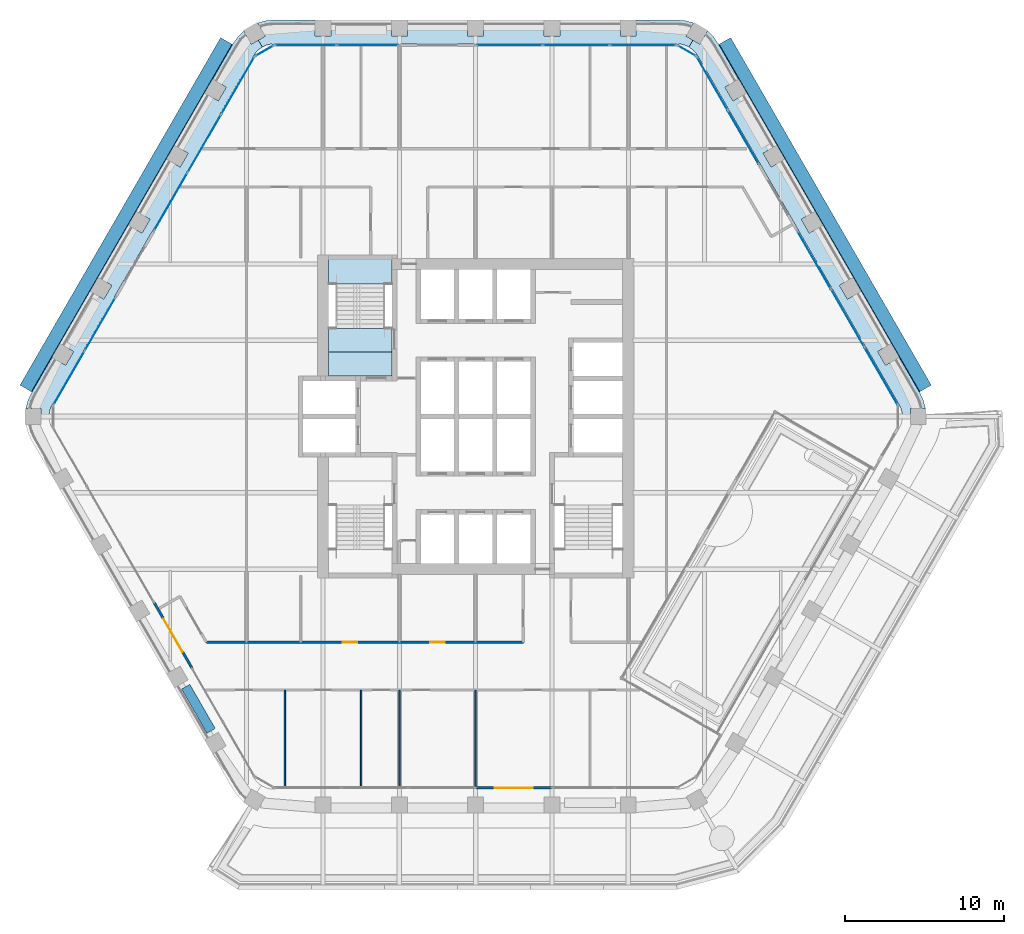
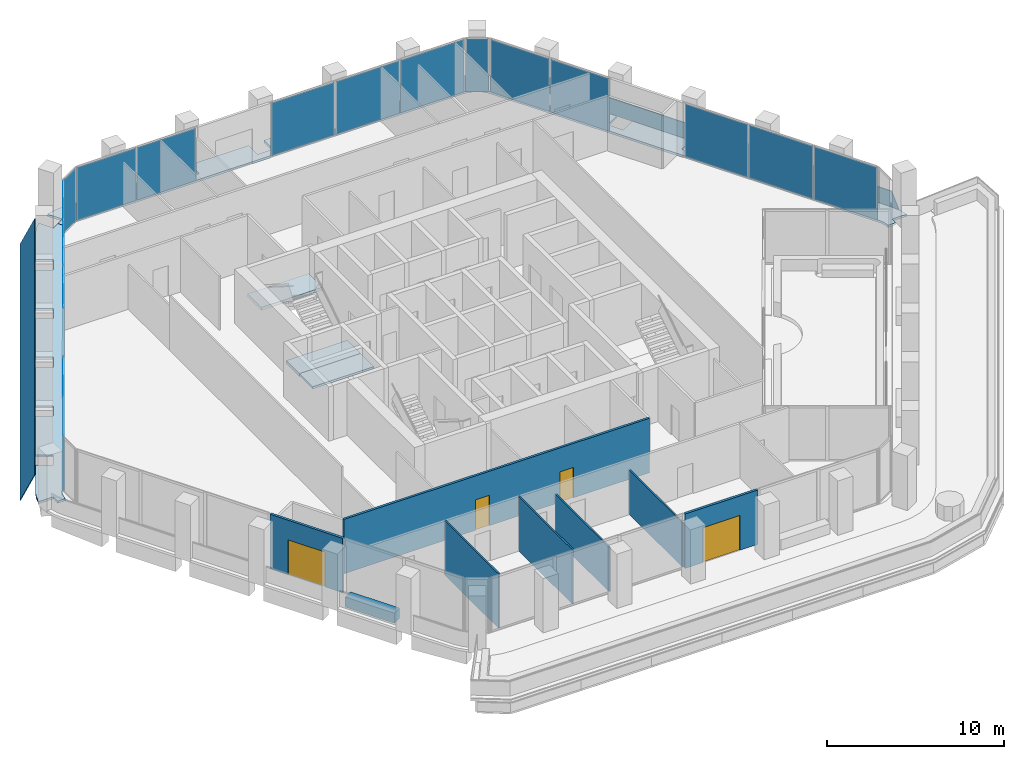
# One storey, part 10 of 17: 19 plates, 8 walls, 6 slabs, 4 doors, 4 openings, 9 elements without a shape of their own.
"""IFC4 building model written with IfcOpenShell, lengths in metres."""

from ifc_helpers import new_model, si_unit, direction, frame, frame_2d, origin, origin_2d, place, context, subcontext, project, spatial, polyline, rectangle, outline, extrude, material, layer, layer_set, type_object, element, fill, aggregate, save


model = new_model("IFC4")

# Units and contexts
model_context = context("Model", 3, precision=1e-05, world=origin(), true_north=direction((0.0, 1.0)))
body_context = subcontext(model_context, "Body", "Model", "MODEL_VIEW")
ifc_project = project(units=[si_unit("LENGTHUNIT", "METRE"), si_unit("AREAUNIT", "SQUARE_METRE"), si_unit("VOLUMEUNIT", "CUBIC_METRE"), si_unit("PLANEANGLEUNIT", "RADIAN"), si_unit("MASSUNIT", "GRAM", prefix="KILO")], contexts=[model_context])

# Site, building, storey
site_placement = place(None, origin())
site = spatial("IfcSite", under=ifc_project, at=site_placement, CompositionType="ELEMENT")
building_placement = place(site_placement, origin())
building = spatial("IfcBuilding", under=site, at=building_placement, Name="Kolab Exchange Tower", CompositionType="ELEMENT")
storey_placement = place(building_placement, frame((0.0, 0.0, 197.300048828125)))
storey = spatial("IfcBuildingStorey", under=building, at=storey_placement, Name="L42", CompositionType="ELEMENT", Elevation=197.300048828125)

# Slabs
ifc_material_1 = material(Name="Concrete C35/45", Category="concrete")
ifc_layer_1 = layer(ifc_material_1, 0.14990234375)
ifc_layer_set_1 = layer_set([ifc_layer_1], Name="Concrete C35/45")
slab_type_1 = type_object("IfcSlabType", Name="FLOOR SLAB 150", PredefinedType="FLOOR", material=ifc_layer_set_1)
slab_1_placement = place(storey_placement, frame((0.0, 0.0, -0.150146484375)))
element("IfcSlab", 1, at=slab_1_placement, inside=storey, type_object=slab_type_1, Name="slab/L42/floor/4", PredefinedType="FLOOR", context=body_context, shape_type="SweptSolid", body=[
    extrude(outline(polyline([(-9.25, 2.550048828125), (-7.550048828125, 2.550048828125), (-7.25, 2.550048828125), (-5.25, 2.550048828125), (-5.25, 4.050048828125), (-9.25, 4.050048828125), (-9.25, 2.550048828125)])), origin(), (0.0, 0.0, 1.0), 0.150146484375),
])
ifc_layer_2 = layer(ifc_material_1, 0.14990234375)
ifc_layer_set_2 = layer_set([ifc_layer_2], Name="Concrete C35/45")
slab_type_2 = type_object("IfcSlabType", Name="LOGGIA SLAB 150", PredefinedType="FLOOR", material=ifc_layer_set_2)
slab_2_placement = place(storey_placement, frame((0.0, 0.0, -0.150146484375)))
element("IfcSlab", 2, at=slab_2_placement, inside=storey, type_object=slab_type_2, Name="slab/L42/loggia/0-0", PredefinedType="FLOOR", context=body_context, shape_type="SweptSolid", body=[
    extrude(outline(polyline([(13.180908203125, 23.35107421875), (13.41796875, 23.240478515625), (13.66796875, 23.673583984375), (13.23486328125, 23.923583984375), (13.713134765625, 24.751708984375), (13.694091796875, 24.760498046875), (13.18896484375, 24.89599609375), (12.66796875, 24.941650390625), (10.10009765625, 24.941650390625), (10.10009765625, 23.941650390625), (9.10009765625, 23.941650390625), (9.10009765625, 24.941650390625), (5.300048828125, 24.941650390625), (5.300048828125, 23.941650390625), (4.300048828125, 23.941650390625), (4.300048828125, 24.941650390625), (0.5, 24.941650390625), (0.5, 23.941650390625), (-0.5, 23.941650390625), (-0.5, 24.941650390625), (-4.300048828125, 24.941650390625), (-4.300048828125, 23.941650390625), (-5.300048828125, 23.941650390625), (-5.300048828125, 24.941650390625), (-9.10009765625, 24.941650390625), (-9.10009765625, 23.941650390625), (-10.10009765625, 23.941650390625), (-10.10009765625, 24.941650390625), (-12.66796875, 24.941650390625), (-13.18896484375, 24.89599609375), (-13.694091796875, 24.760498046875), (-13.713134765625, 24.751708984375), (-13.23486328125, 23.923583984375), (-13.66796875, 23.673583984375), (-13.41796875, 23.240478515625), (-13.180908203125, 23.35107421875), (-12.928466796875, 23.418701171875), (-12.66796875, 23.441650390625), (12.66796875, 23.441650390625), (12.928466796875, 23.418701171875), (13.180908203125, 23.35107421875)])), origin(), (0.0, 0.0, 1.0), 0.150146484375),
])
slab_3_placement = place(storey_placement, frame((0.0, 0.0, -0.150146484375)))
element("IfcSlab", 3, at=slab_3_placement, inside=storey, type_object=slab_type_2, Name="slab/L42/loggia/1-0", PredefinedType="FLOOR", context=body_context, shape_type="SweptSolid", body=[
    extrude(outline(polyline([(26.81298828125, 0.260498046875), (26.829345703125, 0.07568359375), (27.3359375, 0.10107421875), (27.3359375, 0.5), (28.292236328125, 0.5), (28.290283203125, 0.52099609375), (28.155029296875, 1.026123046875), (27.93408203125, 1.5), (26.64990234375, 3.723876953125), (25.783935546875, 3.223876953125), (25.283935546875, 4.08984375), (26.14990234375, 4.58984375), (24.25, 7.880859375), (23.384033203125, 7.380859375), (22.884033203125, 8.246826171875), (23.75, 8.746826171875), (21.85009765625, 12.037841796875), (20.98388671875, 11.537841796875), (20.48388671875, 12.40380859375), (21.35009765625, 12.90380859375), (19.449951171875, 16.194580078125), (18.583984375, 15.694580078125), (18.083984375, 16.560791015625), (18.949951171875, 17.060791015625), (17.050048828125, 20.3515625), (16.18408203125, 19.8515625), (15.68408203125, 20.717529296875), (16.550048828125, 21.217529296875), (15.26611328125, 23.441650390625), (14.966064453125, 23.869873046875), (14.59619140625, 24.23974609375), (14.5791015625, 24.251708984375), (14.10107421875, 23.423583984375), (13.66796875, 23.673583984375), (13.41796875, 23.240478515625), (13.632080078125, 23.090576171875), (13.81689453125, 22.90576171875), (13.967041015625, 22.691650390625), (26.635009765625, 0.75), (26.745361328125, 0.512939453125), (26.81298828125, 0.260498046875)])), origin(), (0.0, 0.0, 1.0), 0.150146484375),
])
slab_4_placement = place(storey_placement, frame((0.0, 0.0, -0.150146484375)))
element("IfcSlab", 4, at=slab_4_placement, inside=storey, type_object=slab_type_2, Name="slab/L42/loggia/5-0", PredefinedType="FLOOR", context=body_context, shape_type="SweptSolid", body=[
    extrude(outline(polyline([(-13.632080078125, 23.090576171875), (-13.41796875, 23.240478515625), (-13.66796875, 23.673583984375), (-14.10107421875, 23.423583984375), (-14.5791015625, 24.251708984375), (-14.59619140625, 24.23974609375), (-14.966064453125, 23.869873046875), (-15.26611328125, 23.441650390625), (-16.550048828125, 21.217529296875), (-15.68408203125, 20.717529296875), (-16.18408203125, 19.8515625), (-17.050048828125, 20.3515625), (-18.949951171875, 17.060791015625), (-18.083984375, 16.560791015625), (-18.583984375, 15.694580078125), (-19.449951171875, 16.194580078125), (-21.35009765625, 12.90380859375), (-20.48388671875, 12.40380859375), (-20.98388671875, 11.537841796875), (-21.85009765625, 12.037841796875), (-23.75, 8.746826171875), (-22.884033203125, 8.246826171875), (-23.384033203125, 7.380859375), (-24.25, 7.880859375), (-26.14990234375, 4.58984375), (-25.283935546875, 4.08984375), (-25.783935546875, 3.223876953125), (-26.64990234375, 3.723876953125), (-27.93408203125, 1.5), (-28.155029296875, 1.026123046875), (-28.290283203125, 0.52099609375), (-28.292236328125, 0.5), (-27.3359375, 0.5), (-27.3359375, 0.0), (-26.8359375, 0.0), (-26.81298828125, 0.260498046875), (-26.745361328125, 0.512939453125), (-26.635009765625, 0.75), (-13.967041015625, 22.691650390625), (-13.81689453125, 22.90576171875), (-13.632080078125, 23.090576171875)])), origin(), (0.0, 0.0, 1.0), 0.150146484375),
])

# Plates
ifc_material_2 = material(Name="Laminated glass, clear", Category="glass")
ifc_layer_3 = layer(ifc_material_2, 0.0400390625)
ifc_layer_set_3 = layer_set([ifc_layer_3], Name="Laminated glass, clear")
plate_type_1 = type_object("IfcPlateType", Name="OUTER SKIN LAMINATED GLASS SHEET 40", PredefinedType="SHEET", material=ifc_layer_set_3)
plate_1_placement = place(storey_placement, frame((16.040283203125, 23.830810546875, -0.68310546875), z_axis=(0.784879402523, 0.453150748855, 0.422633082363), x_axis=(0.49999996891, -0.866025421734, 9.26397e-07)))
element("IfcPlate", 5, at=plate_1_placement, inside=storey, type_object=plate_type_1, Name="Outer skin", PredefinedType="SHEET", context=body_context, shape_type="SweptSolid", body=[
    extrude(outline(polyline([(0.0, 0.0), (25.235928246078725, 0.0), (25.235843279343584, -1.9610710072384856), (0.00012646525258926716, -1.9611225980101972), (0.0, 0.0)])), origin(), (0.0, 0.0, -1.0), 0.0400390625),
])
plate_2_placement = place(storey_placement, frame((-28.658203125, 1.975830078125, -0.68310546875), z_axis=(-0.784879402523, 0.453150748855, 0.422633082363), x_axis=(0.49999996891, 0.866025421734, -9.26397e-07)))
element("IfcPlate", 6, at=plate_2_placement, inside=storey, type_object=plate_type_1, Name="Outer skin", PredefinedType="SHEET", context=body_context, shape_type="SweptSolid", body=[
    extrude(outline(polyline([(0.0, 0.0), (25.235928246078725, 0.0), (25.235801780826137, -1.9611225980101963), (8.496673513867198e-05, -1.9610710072384852), (0.0, 0.0)])), origin(), (0.0, 0.0, -1.0), 0.0400390625),
])

# Stair, slabs
ifc_material_3 = material(Name="Concrete C50/60", Category="concrete")
stair_type = type_object("IfcStairType", Name="STAIR ST1 RISER 177.3", PredefinedType="HALF_TURN_STAIR", material=ifc_material_3)
stair_placement = place(storey_placement, origin())
stair = element("IfcStair", 7, at=stair_placement, inside=storey, type_object=stair_type, Name="Stair 1", PredefinedType="HALF_TURN_STAIR")
ifc_layer_4 = layer(ifc_material_3, 0.199951171875)
ifc_layer_set_4 = layer_set([ifc_layer_4], Name="Concrete C50/60")
slab_type_3 = type_object("IfcSlabType", Name="STAIR LANDING 200", PredefinedType="LANDING", material=ifc_layer_set_4)
slab_5_placement = place(storey_placement, frame((0.0, 0.0, -0.199951171875)))
slab_5 = element("IfcSlab", 8, at=slab_5_placement, type_object=slab_type_3, Name="ST1 landing 1", PredefinedType="LANDING", context=body_context, shape_type="SweptSolid", body=[
    extrude(outline(polyline([(-9.25, 4.050048828125), (-5.25, 4.050048828125), (-5.25, 5.550048828125), (-9.25, 5.550048828125), (-9.25, 4.050048828125)])), origin(), (0.0, 0.0, 1.0), 0.199951171875),
])
slab_6_placement = place(storey_placement, frame((0.0, 0.0, 1.75)))
slab_6 = element("IfcSlab", 9, at=slab_6_placement, type_object=slab_type_3, Name="ST1 landing 2", PredefinedType="LANDING", context=body_context, shape_type="SweptSolid", body=[
    extrude(outline(polyline([(-9.25, 8.35009765625), (-5.25, 8.35009765625), (-5.25, 9.909912109375), (-9.25, 9.909912109375), (-9.25, 8.35009765625)])), origin(), (0.0, 0.0, 1.0), 0.199951171875),
])
aggregate(stair, [slab_5, slab_6])

# Curtain wall, plates
ifc_material_4 = material(Name="Aluminium EN AW-6063 T6", Category="aluminium")
curtain_wall_type = type_object("IfcCurtainWallType", Name="UNITISED UPPER MID ZONE CURTAIN WALL", PredefinedType="NOTDEFINED", material=ifc_material_4)
curtain_wall_1_placement = place(storey_placement, origin())
curtain_wall_1 = element("IfcCurtainWall", 10, at=curtain_wall_1_placement, inside=storey, type_object=curtain_wall_type, Name="cw/L42/F1-1", PredefinedType="NOTDEFINED")
ifc_material_5 = material(Name="Clear insulated glazing unit", Category="glass")
ifc_layer_5 = layer(ifc_material_5, 0.028076171875)
ifc_layer_set_5 = layer_set([ifc_layer_5], Name="Clear insulated glazing unit")
plate_type_2 = type_object("IfcPlateType", Name="UNITISED UPPER MID ZONE GLASS PANEL 28", PredefinedType="CURTAIN_PANEL", material=ifc_layer_set_5)
plate_3_placement = place(storey_placement, frame((-10.68603515625, 23.361572265625, 0.06005859375), z_axis=(0.0, 0.0, 1.0), x_axis=(1.0, 0.0, 0.0)))
plate_3 = element("IfcPlate", 11, at=plate_3_placement, type_object=plate_type_2, Name="CW3 panel 1.1", PredefinedType="CURTAIN_PANEL", context=body_context, shape_type="SweptSolid", body=[
    extrude(rectangle(XDim=3.843994140625, YDim=0.028076171875, at=origin_2d()), origin(), (0.0, 0.0, 1.0), 3.6298828125),
])
plate_4_placement = place(storey_placement, frame((-6.781982421875, 23.361572265625, 0.06005859375), z_axis=(0.0, 0.0, 1.0), x_axis=(1.0, 0.0, 0.0)))
plate_4 = element("IfcPlate", 12, at=plate_4_placement, type_object=plate_type_2, Name="CW3 panel 2.1", PredefinedType="CURTAIN_PANEL", context=body_context, shape_type="SweptSolid", body=[
    extrude(rectangle(XDim=3.843994140625, YDim=0.028076171875, at=origin_2d()), origin(), (0.0, 0.0, 1.0), 3.6298828125),
])
aggregate(curtain_wall_1, [plate_3, plate_4])

curtain_wall_2_placement = place(storey_placement, origin())
curtain_wall_2 = element("IfcCurtainWall", 13, at=curtain_wall_2_placement, inside=storey, type_object=curtain_wall_type, Name="cw/L42/F1-2", PredefinedType="NOTDEFINED")
plate_5_placement = place(storey_placement, frame((2.126220703125, 23.361572265625, 0.06005859375), z_axis=(0.0, 0.0, 1.0), x_axis=(1.0, 0.0, 0.0)))
plate_5 = element("IfcPlate", 14, at=plate_5_placement, type_object=plate_type_2, Name="CW3 panel 1.1", PredefinedType="CURTAIN_PANEL", context=body_context, shape_type="SweptSolid", body=[
    extrude(rectangle(XDim=4.132568359375, YDim=0.028076171875, at=origin_2d()), origin(), (0.0, 0.0, 1.0), 3.6298828125),
])
plate_6_placement = place(storey_placement, frame((6.333984375, 23.361572265625, 0.06005859375), z_axis=(0.0, 0.0, 1.0), x_axis=(1.0, 0.0, 0.0)))
plate_6 = element("IfcPlate", 15, at=plate_6_placement, type_object=plate_type_2, Name="CW3 panel 2.1", PredefinedType="CURTAIN_PANEL", context=body_context, shape_type="SweptSolid", body=[
    extrude(rectangle(XDim=4.16259765625, YDim=0.028076171875, at=origin_2d()), origin(), (0.0, 0.0, 1.0), 3.6298828125),
])
plate_7_placement = place(storey_placement, frame((10.54150390625, 23.361572265625, 0.06005859375), z_axis=(0.0, 0.0, 1.0), x_axis=(1.0, 0.0, 0.0)))
plate_7 = element("IfcPlate", 16, at=plate_7_placement, type_object=plate_type_2, Name="CW3 panel 3.1", PredefinedType="CURTAIN_PANEL", context=body_context, shape_type="SweptSolid", body=[
    extrude(rectangle(XDim=4.132568359375, YDim=0.028076171875, at=origin_2d()), origin(), (0.0, 0.0, 1.0), 3.6298828125),
])
aggregate(curtain_wall_2, [plate_5, plate_6, plate_7])

curtain_wall_3_placement = place(storey_placement, origin())
curtain_wall_3 = element("IfcCurtainWall", 17, at=curtain_wall_3_placement, inside=storey, type_object=curtain_wall_type, Name="cw/L42/F2-1", PredefinedType="NOTDEFINED")
plate_8_placement = place(storey_placement, frame((14.888671875, 20.93505859375, 0.06005859375), z_axis=(0.0, 0.0, 1.0), x_axis=(0.500000031681, -0.866025385493, 0.0)))
plate_8 = element("IfcPlate", 18, at=plate_8_placement, type_object=plate_type_2, Name="CW3 panel 1.1", PredefinedType="CURTAIN_PANEL", context=body_context, shape_type="SweptSolid", body=[
    extrude(rectangle(XDim=3.843994140625, YDim=0.028076171875, at=origin_2d()), origin(), (0.0, 0.0, 1.0), 3.6298828125),
])
plate_9_placement = place(storey_placement, frame((16.840576171875, 17.55419921875, 0.06005859375), z_axis=(0.0, 0.0, 1.0), x_axis=(0.500000031681, -0.866025385493, 0.0)))
plate_9 = element("IfcPlate", 19, at=plate_9_placement, type_object=plate_type_2, Name="CW3 panel 2.1", PredefinedType="CURTAIN_PANEL", context=body_context, shape_type="SweptSolid", body=[
    extrude(rectangle(XDim=3.843994140625, YDim=0.028076171875, at=origin_2d()), origin(), (0.0, 0.0, 1.0), 3.6298828125),
])
aggregate(curtain_wall_3, [plate_8, plate_9])

curtain_wall_4_placement = place(storey_placement, origin())
curtain_wall_4 = element("IfcCurtainWall", 20, at=curtain_wall_4_placement, inside=storey, type_object=curtain_wall_type, Name="cw/L42/F2-2", PredefinedType="NOTDEFINED")
plate_10_placement = place(storey_placement, frame((21.294921875, 9.83935546875, 0.06005859375), z_axis=(0.0, 0.0, 1.0), x_axis=(0.499999958358, -0.866025427826, 0.0)))
plate_10 = element("IfcPlate", 21, at=plate_10_placement, type_object=plate_type_2, Name="CW3 panel 1.1", PredefinedType="CURTAIN_PANEL", context=body_context, shape_type="SweptSolid", body=[
    extrude(rectangle(XDim=4.132568359375, YDim=0.028076171875, at=origin_2d()), origin(), (0.0, 0.0, 1.0), 3.6298828125),
])
plate_11_placement = place(storey_placement, frame((23.398681640625, 6.1953125, 0.06005859375), z_axis=(0.0, 0.0, 1.0), x_axis=(0.499999958358, -0.866025427826, 0.0)))
plate_11 = element("IfcPlate", 22, at=plate_11_placement, type_object=plate_type_2, Name="CW3 panel 2.1", PredefinedType="CURTAIN_PANEL", context=body_context, shape_type="SweptSolid", body=[
    extrude(rectangle(XDim=4.16259765625, YDim=0.028076171875, at=origin_2d()), origin(), (0.0, 0.0, 1.0), 3.6298828125),
])
plate_12_placement = place(storey_placement, frame((25.50244140625, 2.551513671875, 0.06005859375), z_axis=(0.0, 0.0, 1.0), x_axis=(0.499999958358, -0.866025427826, 0.0)))
plate_12 = element("IfcPlate", 23, at=plate_12_placement, type_object=plate_type_2, Name="CW3 panel 3.1", PredefinedType="CURTAIN_PANEL", context=body_context, shape_type="SweptSolid", body=[
    extrude(rectangle(XDim=4.132568359375, YDim=0.028076171875, at=origin_2d()), origin(), (0.0, 0.0, 1.0), 3.6298828125),
])
aggregate(curtain_wall_4, [plate_10, plate_11, plate_12])

curtain_wall_5_placement = place(storey_placement, origin())
curtain_wall_5 = element("IfcCurtainWall", 24, at=curtain_wall_5_placement, inside=storey, type_object=curtain_wall_type, Name="cw/L42/F6-1", PredefinedType="NOTDEFINED")
plate_13_placement = place(storey_placement, frame((-25.57470703125, 2.426513671875, 0.06005859375), z_axis=(0.0, 0.0, 1.0), x_axis=(0.499999936366, 0.866025440524, 0.0)))
plate_13 = element("IfcPlate", 25, at=plate_13_placement, type_object=plate_type_2, Name="CW3 panel 1.1", PredefinedType="CURTAIN_PANEL", context=body_context, shape_type="SweptSolid", body=[
    extrude(rectangle(XDim=3.843994140625, YDim=0.028076171875, at=origin_2d()), origin(), (0.0, 0.0, 1.0), 3.6298828125),
])
plate_14_placement = place(storey_placement, frame((-23.62255859375, 5.807373046875, 0.06005859375), z_axis=(0.0, 0.0, 1.0), x_axis=(0.499999936366, 0.866025440524, 0.0)))
plate_14 = element("IfcPlate", 26, at=plate_14_placement, type_object=plate_type_2, Name="CW3 panel 2.1", PredefinedType="CURTAIN_PANEL", context=body_context, shape_type="SweptSolid", body=[
    extrude(rectangle(XDim=3.843994140625, YDim=0.028076171875, at=origin_2d()), origin(), (0.0, 0.0, 1.0), 3.6298828125),
])
aggregate(curtain_wall_5, [plate_13, plate_14])

curtain_wall_6_placement = place(storey_placement, origin())
curtain_wall_6 = element("IfcCurtainWall", 27, at=curtain_wall_6_placement, inside=storey, type_object=curtain_wall_type, Name="cw/L42/F6-2", PredefinedType="NOTDEFINED")
plate_15_placement = place(storey_placement, frame((-19.16845703125, 13.522216796875, 0.06005859375), z_axis=(0.0, 0.0, 1.0), x_axis=(0.500000017564, 0.866025393644, 0.0)))
plate_15 = element("IfcPlate", 28, at=plate_15_placement, type_object=plate_type_2, Name="CW3 panel 1.1", PredefinedType="CURTAIN_PANEL", context=body_context, shape_type="SweptSolid", body=[
    extrude(rectangle(XDim=4.132568359375, YDim=0.028076171875, at=origin_2d()), origin(), (0.0, 0.0, 1.0), 3.6298828125),
])
plate_16_placement = place(storey_placement, frame((-17.064697265625, 17.166259765625, 0.06005859375), z_axis=(0.0, 0.0, 1.0), x_axis=(0.500000017564, 0.866025393644, 0.0)))
plate_16 = element("IfcPlate", 29, at=plate_16_placement, type_object=plate_type_2, Name="CW3 panel 2.1", PredefinedType="CURTAIN_PANEL", context=body_context, shape_type="SweptSolid", body=[
    extrude(rectangle(XDim=4.16259765625, YDim=0.028076171875, at=origin_2d()), origin(), (0.0, 0.0, 1.0), 3.6298828125),
])
plate_17_placement = place(storey_placement, frame((-14.9609375, 20.81005859375, 0.06005859375), z_axis=(0.0, 0.0, 1.0), x_axis=(0.500000017564, 0.866025393644, 0.0)))
plate_17 = element("IfcPlate", 30, at=plate_17_placement, type_object=plate_type_2, Name="CW3 panel 3.1", PredefinedType="CURTAIN_PANEL", context=body_context, shape_type="SweptSolid", body=[
    extrude(rectangle(XDim=4.132568359375, YDim=0.028076171875, at=origin_2d()), origin(), (0.0, 0.0, 1.0), 3.6298828125),
])
aggregate(curtain_wall_6, [plate_15, plate_16, plate_17])

# Curtain wall, plate
curtain_wall_7_placement = place(storey_placement, origin())
curtain_wall_7 = element("IfcCurtainWall", 31, at=curtain_wall_7_placement, inside=storey, type_object=curtain_wall_type, Name="cw/L42/F1F2-corner", PredefinedType="NOTDEFINED")
plate_18_placement = place(storey_placement, frame((13.28271484375, 23.006591796875, 0.06005859375), z_axis=(0.0, 0.0, 1.0), x_axis=(0.866025390869, -0.50000002237, 0.0)))
plate_18 = element("IfcPlate", 32, at=plate_18_placement, type_object=plate_type_2, Name="CW3 panel 1.1", PredefinedType="CURTAIN_PANEL", context=body_context, shape_type="SweptSolid", body=[
    extrude(rectangle(XDim=1.300048828125, YDim=0.028076171875, at=origin_2d()), origin(), (0.0, 0.0, 1.0), 3.6298828125),
])
aggregate(curtain_wall_7, [plate_18])

curtain_wall_8_placement = place(storey_placement, origin())
curtain_wall_8 = element("IfcCurtainWall", 33, at=curtain_wall_8_placement, inside=storey, type_object=curtain_wall_type, Name="cw/L42/F6F1-corner", PredefinedType="NOTDEFINED")
plate_19_placement = place(storey_placement, frame((-13.28271484375, 23.006591796875, 0.06005859375), z_axis=(0.0, 0.0, 1.0), x_axis=(0.866025390869, 0.50000002237, 0.0)))
plate_19 = element("IfcPlate", 34, at=plate_19_placement, type_object=plate_type_2, Name="CW3 panel 1.1", PredefinedType="CURTAIN_PANEL", context=body_context, shape_type="SweptSolid", body=[
    extrude(rectangle(XDim=1.300048828125, YDim=0.028076171875, at=origin_2d()), origin(), (0.0, 0.0, 1.0), 3.6298828125),
])
aggregate(curtain_wall_8, [plate_19])

# Wall, opening, door
ifc_layer_6 = layer(ifc_material_4, 0.159912109375)
ifc_layer_set_6 = layer_set([ifc_layer_6], Name="Aluminium EN AW-6063 T6")
wall_type_1 = type_object("IfcWallType", Name="DOOR SURROUND WALL 160 ALUMINIUM FRAMED", PredefinedType="PARTITIONING", material=ifc_layer_set_6)
wall_1_placement = place(storey_placement, frame((4.77001953125, -23.361572265625, 0.0), z_axis=(0.0, 0.0, 1.0), x_axis=(-1.0, 0.0, 0.0)))
wall_1 = element("IfcWall", 35, at=wall_1_placement, inside=storey, type_object=wall_type_1, Name="Door surround wall", PredefinedType="PARTITIONING", context=body_context, shape_type="SweptSolid", body=[
    extrude(rectangle(XDim=4.739990234375, YDim=0.159912109375, at=frame_2d((2.3701171875, 0.0))), origin(), (0.0, 0.0, 1.0), 3.75),
])
opening_1_placement = place(wall_1_placement, frame((1.169921875, 0.0, 0.0)))
opening_1 = element("IfcOpeningElement", 36, at=opening_1_placement, cuts=wall_1, Name="Opening GD1-067", PredefinedType="OPENING", context=body_context, shape_type="SweptSolid", body=[
    extrude(rectangle(XDim=2.39990234375, YDim=2.39990234375, at=frame_2d((1.199951171875, 1.199951171875))), frame((0.0, 0.08984375, 0.0), z_axis=(0.0, -1.0, 0.0), x_axis=(1.0, 0.0, 0.0)), (0.0, 0.0, 1.0), 0.179931640625),
])
door_type_1 = type_object("IfcDoorType", Name="LOGGIA SLIDING GLASS DOOR 2400 X 2400", OperationType="DOUBLE_DOOR_SINGLE_SWING", PredefinedType="DOOR", material=ifc_material_4)
door_1_placement = place(opening_1_placement, origin())
door_1 = element("IfcDoor", 37, at=door_1_placement, inside=storey, type_object=door_type_1, Name="Loggia door", OperationType="DOUBLE_DOOR_SLIDING", OverallHeight=2.39990234375, OverallWidth=2.39990234375, PredefinedType="DOOR", context=body_context, shape_type="SweptSolid", body=[
    extrude(rectangle(XDim=2.39990234375, YDim=2.39990234375, at=frame_2d((1.199951171875, 1.199951171875))), frame((0.0, 0.02490234375, 0.0), z_axis=(0.0, -1.0, 0.0), x_axis=(1.0, 0.0, 0.0)), (0.0, 0.0, 1.0), 0.050048828125),
])
fill(opening_1, door_1)

wall_2_placement = place(storey_placement, frame((-17.8466796875, -15.811767578125, 0.0), z_axis=(0.0, 0.0, 1.0), x_axis=(-0.5000167099, 0.866015756104, 0.0)))
wall_2 = element("IfcWall", 38, at=wall_2_placement, inside=storey, type_object=wall_type_1, Name="Door surround wall", PredefinedType="PARTITIONING", context=body_context, shape_type="SweptSolid", body=[
    extrude(rectangle(XDim=4.739990234375, YDim=0.159912109375, at=frame_2d((2.3701171875, 0.0))), origin(), (0.0, 0.0, 1.0), 3.75),
])
opening_2_placement = place(wall_2_placement, frame((1.169921875, 0.0, 0.0)))
opening_2 = element("IfcOpeningElement", 39, at=opening_2_placement, cuts=wall_2, Name="Opening GD1-068", PredefinedType="OPENING", context=body_context, shape_type="SweptSolid", body=[
    extrude(rectangle(XDim=2.39990234375, YDim=2.39990234375, at=frame_2d((1.199951171875, 1.199951171875))), frame((0.0, 0.08984375, 0.0), z_axis=(0.0, -1.0, 0.0), x_axis=(1.0, 0.0, 0.0)), (0.0, 0.0, 1.0), 0.179931640625),
])
door_2_placement = place(opening_2_placement, origin())
door_2 = element("IfcDoor", 40, at=door_2_placement, inside=storey, type_object=door_type_1, Name="Loggia door", OperationType="DOUBLE_DOOR_SLIDING", OverallHeight=2.39990234375, OverallWidth=2.39990234375, PredefinedType="DOOR", context=body_context, shape_type="SweptSolid", body=[
    extrude(rectangle(XDim=2.39990234375, YDim=2.39990234375, at=frame_2d((1.199951171875, 1.199951171875))), frame((0.0, 0.02490234375, 0.0), z_axis=(0.0, -1.0, 0.0), x_axis=(1.0, 0.0, 0.0)), (0.0, 0.0, 1.0), 0.050048828125),
])
fill(opening_2, door_2)

# Walls
ifc_material_6 = material(Name="Gypsum board", Category="gypsum")
ifc_layer_7 = layer(ifc_material_6, 0.10009765625)
ifc_layer_set_7 = layer_set([ifc_layer_7], Name="Gypsum board")
wall_type_2 = type_object("IfcWallType", Name="PARTITION 100", PredefinedType="PARTITIONING", material=ifc_layer_set_7)
wall_3_placement = place(storey_placement, frame((0.0, -23.281494140625, 0.0), z_axis=(0.0, 0.0, 1.0), x_axis=(0.0, 1.0, 0.0)))
element("IfcWall", 41, at=wall_3_placement, inside=storey, type_object=wall_type_2, Name="Partition 010", PredefinedType="PARTITIONING", context=body_context, shape_type="SweptSolid", body=[
    extrude(rectangle(XDim=6.08154296875, YDim=0.10009765625, at=frame_2d((3.040771484375, 0.0))), origin(), (0.0, 0.0, 1.0), 3.06591796875),
])
wall_4_placement = place(storey_placement, frame((-4.800048828125, -23.271484375, 0.0), z_axis=(0.0, 0.0, 1.0), x_axis=(0.0, 1.0, 0.0)))
element("IfcWall", 42, at=wall_4_placement, inside=storey, type_object=wall_type_2, Name="Partition 014", PredefinedType="PARTITIONING", context=body_context, shape_type="SweptSolid", body=[
    extrude(rectangle(XDim=6.071533203125, YDim=0.10009765625, at=frame_2d((3.03564453125, 0.0))), origin(), (0.0, 0.0, 1.0), 3.06591796875),
])
for number, where, z_axis, x_axis, name in (
    (43, (-7.199951171875, -23.271484375, 0.0), (0.0, 0.0, 1.0), (0.0, 1.0, 0.0), "Partition 019"),
    (44, (-12.0, -23.271484375, 0.0), (0.0, 0.0, 1.0), (0.0, 1.0, 0.0), "Partition 024"),
):
    element("IfcWall", number, at=place(storey_placement, frame(where, z_axis=z_axis, x_axis=x_axis)), inside=storey, type_object=wall_type_2, Name=name, PredefinedType="PARTITIONING", context=body_context, shape_type="SweptSolid", body=[
        extrude(rectangle(XDim=6.071533203125, YDim=0.10009765625, at=frame_2d((3.03564453125, 0.0))), origin(), (0.0, 0.0, 1.0), 3.75),
    ])

# Wall, openings, doors
ifc_layer_8 = layer(ifc_material_6, 0.14990234375)
ifc_layer_set_8 = layer_set([ifc_layer_8], Name="Gypsum board")
wall_type_3 = type_object("IfcWallType", Name="PARTITION 150 FIRE-RATED", PredefinedType="PARTITIONING", material=ifc_layer_set_8)
wall_5_placement = place(storey_placement, frame((-16.9296875, -14.199951171875, 0.0), z_axis=(0.0, 0.0, 1.0), x_axis=(1.0, 0.0, 0.0)))
wall_5 = element("IfcWall", 45, at=wall_5_placement, inside=storey, type_object=wall_type_3, Name="Partition 031", PredefinedType="PARTITIONING", context=body_context, shape_type="SweptSolid", body=[
    extrude(rectangle(XDim=19.9296875, YDim=0.14990234375, at=frame_2d((9.96484375, 0.0))), origin(), (0.0, 0.0, 1.0), 3.75),
])
opening_3_placement = place(wall_5_placement, frame((8.57958984375, 0.0, 0.0)))
opening_3 = element("IfcOpeningElement", 46, at=opening_3_placement, cuts=wall_5, Name="Opening D3-061", PredefinedType="OPENING", context=body_context, shape_type="SweptSolid", body=[
    extrude(rectangle(XDim=0.89990234375, YDim=2.10009765625, at=frame_2d((0.449951171875, 1.050048828125))), frame((0.0, 0.0849609375, 0.0), z_axis=(0.0, -1.0, 0.0), x_axis=(1.0, 0.0, 0.0)), (0.0, 0.0, 1.0), 0.169921875),
])
opening_4_placement = place(wall_5_placement, frame((14.07958984375, 0.0, 0.0)))
opening_4 = element("IfcOpeningElement", 47, at=opening_4_placement, cuts=wall_5, Name="Opening D3-062", PredefinedType="OPENING", context=body_context, shape_type="SweptSolid", body=[
    extrude(rectangle(XDim=0.89990234375, YDim=2.10009765625, at=frame_2d((0.449951171875, 1.050048828125))), frame((0.0, 0.0849609375, 0.0), z_axis=(0.0, -1.0, 0.0), x_axis=(1.0, 0.0, 0.0)), (0.0, 0.0, 1.0), 0.169921875),
])
ifc_material_7 = material(Name="Steel S235", Category="steel")
door_type_2 = type_object("IfcDoorType", Name="FLUSH DOOR 900 FD60", OperationType="SINGLE_SWING_LEFT", PredefinedType="DOOR", material=ifc_material_7)
door_3_placement = place(opening_3_placement, origin())
door_3 = element("IfcDoor", 48, at=door_3_placement, inside=storey, type_object=door_type_2, Name="Door L42-036", OperationType="SINGLE_SWING_LEFT", OverallHeight=2.10009765625, OverallWidth=0.89990234375, PredefinedType="DOOR", context=body_context, shape_type="SweptSolid", body=[
    extrude(rectangle(XDim=0.89990234375, YDim=2.10009765625, at=frame_2d((0.449951171875, 1.050048828125))), frame((0.0, 0.02490234375, 0.0), z_axis=(0.0, -1.0, 0.0), x_axis=(1.0, 0.0, 0.0)), (0.0, 0.0, 1.0), 0.050048828125),
])
fill(opening_3, door_3)
door_4_placement = place(opening_4_placement, origin())
door_4 = element("IfcDoor", 49, at=door_4_placement, inside=storey, type_object=door_type_2, Name="Door L42-037", OperationType="SINGLE_SWING_LEFT", OverallHeight=2.10009765625, OverallWidth=0.89990234375, PredefinedType="DOOR", context=body_context, shape_type="SweptSolid", body=[
    extrude(rectangle(XDim=0.89990234375, YDim=2.10009765625, at=frame_2d((0.449951171875, 1.050048828125))), frame((0.0, 0.02490234375, 0.0), z_axis=(0.0, -1.0, 0.0), x_axis=(1.0, 0.0, 0.0)), (0.0, 0.0, 1.0), 0.050048828125),
])
fill(opening_4, door_4)

# Wall
ifc_material_8 = material(Name="Granite facing", Category="masonry")
ifc_layer_9 = layer(ifc_material_8, 0.0400390625)
ifc_material_9 = material(Name="Concrete C40/50 precast", Category="concrete")
ifc_layer_10 = layer(ifc_material_9, 0.56005859375)
ifc_layer_set_9 = layer_set([ifc_layer_9, ifc_layer_10], Name="Concrete C40/50 precast")
wall_type_4 = type_object("IfcWallType", Name="PLANTER BOX 600 X 700 SOIL DEPTH 550", PredefinedType="USERDEFINED", material=ifc_layer_set_9)
wall_6_placement = place(storey_placement, frame((-16.636962890625, -19.766845703125, 0.0), z_axis=(0.0, 0.0, 1.0), x_axis=(-0.500028443584, 0.866008981251, 0.0)))
element("IfcWall", 50, at=wall_6_placement, inside=storey, type_object=wall_type_4, Name="Planter", ObjectType="PLANTER", PredefinedType="USERDEFINED", context=body_context, shape_type="SweptSolid", body=[
    extrude(rectangle(XDim=3.199951171875, YDim=0.60009765625, at=frame_2d((1.60009765625, 0.0))), origin(), (0.0, 0.0, 1.0), 0.699951171875),
])

save(model, "model.ifc")
